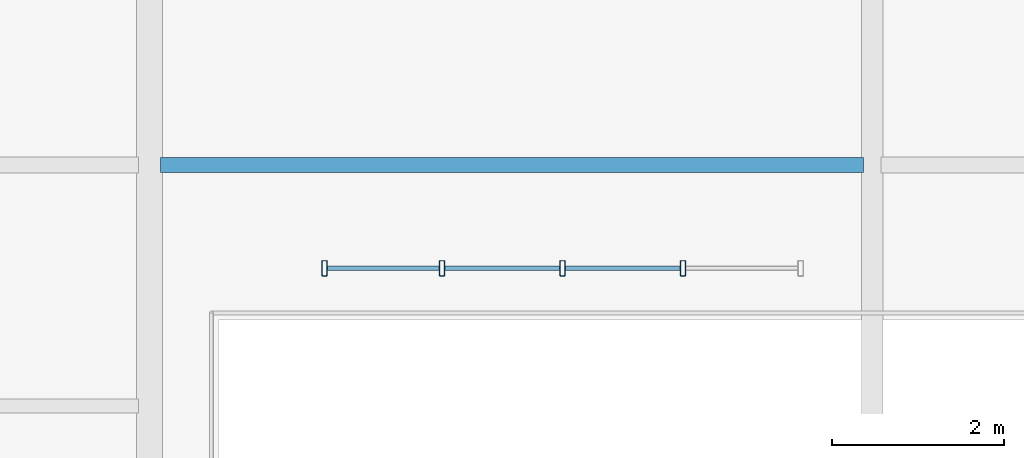
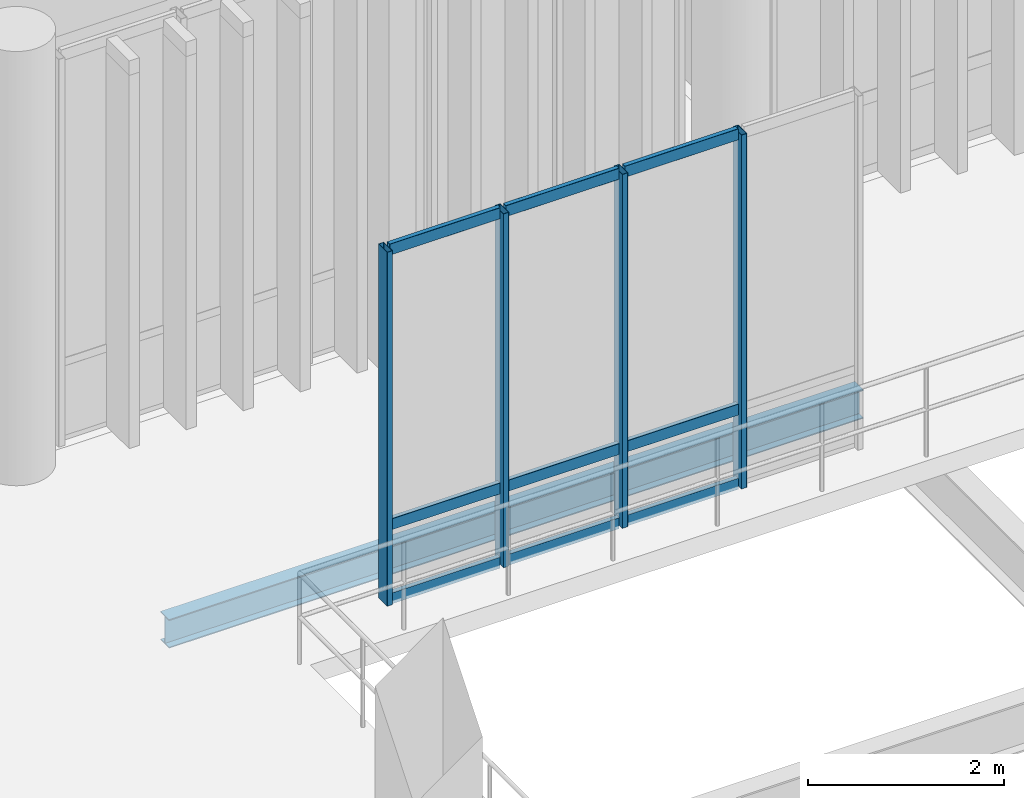
# One storey, part 27 of 128: 13 members, 1 beam, 1 element without a shape of its own.
"""IFC4 building model written with IfcOpenShell, lengths in metres."""

from ifc_helpers import new_model, si_unit, direction, frame, origin_with_axes, origin_2d_with_axis, place, context, subcontext, project, spatial, hollow_rectangle, i_section, extrude, material, material_profile, profile_set, type_object, element, aggregate, save


model = new_model("IFC4")

# Units and contexts
model_context = context("Model", 3, precision=1e-05, world=origin_with_axes(), true_north=direction((0.0, 1.0)))
body_context = subcontext(model_context, "Body", "Model", "MODEL_VIEW")
ifc_project = project(units=[si_unit("LENGTHUNIT", "METRE"), si_unit("AREAUNIT", "SQUARE_METRE"), si_unit("VOLUMEUNIT", "CUBIC_METRE"), si_unit("PLANEANGLEUNIT", "RADIAN"), si_unit("MASSUNIT", "GRAM", prefix="KILO"), si_unit("THERMODYNAMICTEMPERATUREUNIT", "KELVIN")], contexts=[model_context])

# Site, building, storey
site_placement = place(None, origin_with_axes())
site = spatial("IfcSite", under=ifc_project, at=site_placement, CompositionType="ELEMENT")
building_placement = place(site_placement, origin_with_axes())
building = spatial("IfcBuilding", under=site, at=building_placement, Name="Montbau Bow Law Courts", CompositionType="ELEMENT")
storey_placement = place(building_placement, frame((0.0, 0.0, 5.4), z_axis=(0.0, 0.0, 1.0), x_axis=(1.0, 0.0, 0.0)))
storey = spatial("IfcBuildingStorey", under=building, at=storey_placement, Name="L01", CompositionType="ELEMENT", Elevation=5.4)

# Beam
ifc_material_1 = material(Name="Steel CSA G40.21 Grade 350W (350 MPa)", Category="steel")
ifc_material_profile_1 = material_profile(ifc_material_1, i_section(OverallWidth=0.172, OverallDepth=0.358, WebThickness=0.0079, FlangeThickness=0.0131, at=origin_2d_with_axis()), Name="W360X57", Category="Main", Priority=0)
ifc_profile_set_1 = profile_set([ifc_material_profile_1], Name="Steel CSA G40.21 Grade 350W (350 MPa)")
beam_type = type_object("IfcBeamType", Name="B-JST-03", PredefinedType="JOIST", material=ifc_profile_set_1)
beam_placement = place(None, frame((63.729, 36.2, 4.981), z_axis=(1.0, 0.0, 0.0), x_axis=(0.0, 1.0, 0.0)))
element("IfcBeam", 1, at=beam_placement, inside=storey, type_object=beam_type, Name="JST-L01-S0550:jst2_0550", PredefinedType="JOIST", context=body_context, shape_type="SweptSolid", body=[
    extrude(i_section(OverallWidth=0.172, OverallDepth=0.358, WebThickness=0.0079, FlangeThickness=0.0131, at=origin_2d_with_axis()), origin_with_axes(), (0.0, 0.0, 1.0), 8.168),
])

# Curtain wall, members
ifc_material_2 = material(Name="Thermally Broken Extruded Aluminium AA 6063-T6", Category="aluminium")
curtain_wall_type = type_object("IfcCurtainWallType", Name="CW-INT-01", PredefinedType="NOTDEFINED", material=ifc_material_2)
curtain_wall_placement = place(None, frame((65.6, 35.0, 5.4), z_axis=(0.0, 0.0, 1.0), x_axis=(1.0, 0.0, 0.0)))
curtain_wall = element("IfcCurtainWall", 2, at=curtain_wall_placement, inside=storey, type_object=curtain_wall_type, Name="CW-L01-415:cw_0415", PredefinedType="NOTDEFINED")
ifc_material_profile_2 = material_profile(ifc_material_2, hollow_rectangle(XDim=0.065, YDim=0.18, WallThickness=0.005, InnerFilletRadius=0.01, OuterFilletRadius=0.005, at=origin_2d_with_axis()), Name="CWM-180X65", Category="Main", Priority=0)
ifc_profile_set_2 = profile_set([ifc_material_profile_2], Name="Thermally Broken Extruded Aluminium AA 6063-T6")
member_type_1 = type_object("IfcMemberType", Name="M-MUL-02", PredefinedType="MULLION", material=ifc_profile_set_2)
member_1_placement = place(None, frame((65.633, 35.0, 5.4), z_axis=(0.0, 0.0, 1.0), x_axis=(1.0, 0.0, 0.0)))
member_1 = element("IfcMember", 3, at=member_1_placement, type_object=member_type_1, Name="CW-L01-415-M01:cw_0415_M01", PredefinedType="MULLION", context=body_context, shape_type="SweptSolid", body=[
    extrude(hollow_rectangle(XDim=0.065, YDim=0.18, WallThickness=0.005, InnerFilletRadius=0.01, OuterFilletRadius=0.005, at=origin_2d_with_axis()), origin_with_axes(), (0.0, 0.0, 1.0), 4.4),
])
member_2_placement = place(None, frame((67.0, 35.0, 5.4), z_axis=(0.0, 0.0, 1.0), x_axis=(1.0, 0.0, 0.0)))
member_2 = element("IfcMember", 4, at=member_2_placement, type_object=member_type_1, Name="CW-L01-415-M02:cw_0415_M02", PredefinedType="MULLION", context=body_context, shape_type="SweptSolid", body=[
    extrude(hollow_rectangle(XDim=0.065, YDim=0.18, WallThickness=0.005, InnerFilletRadius=0.01, OuterFilletRadius=0.005, at=origin_2d_with_axis()), origin_with_axes(), (0.0, 0.0, 1.0), 4.4),
])
member_3_placement = place(None, frame((68.4, 35.0, 5.4), z_axis=(0.0, 0.0, 1.0), x_axis=(1.0, 0.0, 0.0)))
member_3 = element("IfcMember", 5, at=member_3_placement, type_object=member_type_1, Name="CW-L01-415-M03:cw_0415_M03", PredefinedType="MULLION", context=body_context, shape_type="SweptSolid", body=[
    extrude(hollow_rectangle(XDim=0.065, YDim=0.18, WallThickness=0.005, InnerFilletRadius=0.01, OuterFilletRadius=0.005, at=origin_2d_with_axis()), origin_with_axes(), (0.0, 0.0, 1.0), 4.4),
])
member_4_placement = place(None, frame((69.8, 35.0, 5.4), z_axis=(0.0, 0.0, 1.0), x_axis=(1.0, 0.0, 0.0)))
member_4 = element("IfcMember", 6, at=member_4_placement, type_object=member_type_1, Name="CW-L01-415-M04:cw_0415_M04", PredefinedType="MULLION", context=body_context, shape_type="SweptSolid", body=[
    extrude(hollow_rectangle(XDim=0.065, YDim=0.18, WallThickness=0.005, InnerFilletRadius=0.01, OuterFilletRadius=0.005, at=origin_2d_with_axis()), origin_with_axes(), (0.0, 0.0, 1.0), 4.4),
])
ifc_material_profile_3 = material_profile(ifc_material_2, hollow_rectangle(XDim=0.055, YDim=0.14, WallThickness=0.004, InnerFilletRadius=0.008, OuterFilletRadius=0.004, at=origin_2d_with_axis()), Name="CWT-140X55", Category="Main", Priority=0)
ifc_profile_set_3 = profile_set([ifc_material_profile_3], Name="Thermally Broken Extruded Aluminium AA 6063-T6")
member_type_2 = type_object("IfcMemberType", Name="M-TRN-02", PredefinedType="USERDEFINED", material=ifc_profile_set_3)
member_5_placement = place(None, frame((65.668, 35.0, 5.428), z_axis=(1.0, 0.0, 0.0), x_axis=(0.0, 1.0, 0.0)))
member_5 = element("IfcMember", 7, at=member_5_placement, type_object=member_type_2, Name="CW-L01-415-T01-1:cw_0415_T01_1", ObjectType="TRANSOM", PredefinedType="USERDEFINED", context=body_context, shape_type="SweptSolid", body=[
    extrude(hollow_rectangle(XDim=0.055, YDim=0.14, WallThickness=0.004, InnerFilletRadius=0.008, OuterFilletRadius=0.004, at=origin_2d_with_axis()), origin_with_axes(), (0.0, 0.0, 1.0), 1.297),
])
member_6_placement = place(None, frame((65.668, 35.0, 6.35), z_axis=(1.0, 0.0, 0.0), x_axis=(0.0, 1.0, 0.0)))
member_6 = element("IfcMember", 8, at=member_6_placement, type_object=member_type_2, Name="CW-L01-415-T01-2:cw_0415_T01_2", ObjectType="TRANSOM", PredefinedType="USERDEFINED", context=body_context, shape_type="SweptSolid", body=[
    extrude(hollow_rectangle(XDim=0.055, YDim=0.14, WallThickness=0.004, InnerFilletRadius=0.008, OuterFilletRadius=0.004, at=origin_2d_with_axis()), origin_with_axes(), (0.0, 0.0, 1.0), 1.297),
])
member_7_placement = place(None, frame((65.668, 35.0, 9.773), z_axis=(1.0, 0.0, 0.0), x_axis=(0.0, 1.0, 0.0)))
member_7 = element("IfcMember", 9, at=member_7_placement, type_object=member_type_2, Name="CW-L01-415-T01-3:cw_0415_T01_3", ObjectType="TRANSOM", PredefinedType="USERDEFINED", context=body_context, shape_type="SweptSolid", body=[
    extrude(hollow_rectangle(XDim=0.055, YDim=0.14, WallThickness=0.004, InnerFilletRadius=0.008, OuterFilletRadius=0.004, at=origin_2d_with_axis()), origin_with_axes(), (0.0, 0.0, 1.0), 1.297),
])
member_8_placement = place(None, frame((67.034, 35.0, 5.428), z_axis=(1.0, 0.0, 0.0), x_axis=(0.0, 1.0, 0.0)))
member_8 = element("IfcMember", 10, at=member_8_placement, type_object=member_type_2, Name="CW-L01-415-T02-1:cw_0415_T02_1", ObjectType="TRANSOM", PredefinedType="USERDEFINED", context=body_context, shape_type="SweptSolid", body=[
    extrude(hollow_rectangle(XDim=0.055, YDim=0.14, WallThickness=0.004, InnerFilletRadius=0.008, OuterFilletRadius=0.004, at=origin_2d_with_axis()), origin_with_axes(), (0.0, 0.0, 1.0), 1.331),
])
member_9_placement = place(None, frame((67.034, 35.0, 6.35), z_axis=(1.0, 0.0, 0.0), x_axis=(0.0, 1.0, 0.0)))
member_9 = element("IfcMember", 11, at=member_9_placement, type_object=member_type_2, Name="CW-L01-415-T02-2:cw_0415_T02_2", ObjectType="TRANSOM", PredefinedType="USERDEFINED", context=body_context, shape_type="SweptSolid", body=[
    extrude(hollow_rectangle(XDim=0.055, YDim=0.14, WallThickness=0.004, InnerFilletRadius=0.008, OuterFilletRadius=0.004, at=origin_2d_with_axis()), origin_with_axes(), (0.0, 0.0, 1.0), 1.331),
])
member_10_placement = place(None, frame((67.034, 35.0, 9.773), z_axis=(1.0, 0.0, 0.0), x_axis=(0.0, 1.0, 0.0)))
member_10 = element("IfcMember", 12, at=member_10_placement, type_object=member_type_2, Name="CW-L01-415-T02-3:cw_0415_T02_3", ObjectType="TRANSOM", PredefinedType="USERDEFINED", context=body_context, shape_type="SweptSolid", body=[
    extrude(hollow_rectangle(XDim=0.055, YDim=0.14, WallThickness=0.004, InnerFilletRadius=0.008, OuterFilletRadius=0.004, at=origin_2d_with_axis()), origin_with_axes(), (0.0, 0.0, 1.0), 1.331),
])
member_11_placement = place(None, frame((68.434, 35.0, 5.428), z_axis=(1.0, 0.0, 0.0), x_axis=(0.0, 1.0, 0.0)))
member_11 = element("IfcMember", 13, at=member_11_placement, type_object=member_type_2, Name="CW-L01-415-T03-1:cw_0415_T03_1", ObjectType="TRANSOM", PredefinedType="USERDEFINED", context=body_context, shape_type="SweptSolid", body=[
    extrude(hollow_rectangle(XDim=0.055, YDim=0.14, WallThickness=0.004, InnerFilletRadius=0.008, OuterFilletRadius=0.004, at=origin_2d_with_axis()), origin_with_axes(), (0.0, 0.0, 1.0), 1.332),
])
member_12_placement = place(None, frame((68.434, 35.0, 6.35), z_axis=(1.0, 0.0, 0.0), x_axis=(0.0, 1.0, 0.0)))
member_12 = element("IfcMember", 14, at=member_12_placement, type_object=member_type_2, Name="CW-L01-415-T03-2:cw_0415_T03_2", ObjectType="TRANSOM", PredefinedType="USERDEFINED", context=body_context, shape_type="SweptSolid", body=[
    extrude(hollow_rectangle(XDim=0.055, YDim=0.14, WallThickness=0.004, InnerFilletRadius=0.008, OuterFilletRadius=0.004, at=origin_2d_with_axis()), origin_with_axes(), (0.0, 0.0, 1.0), 1.332),
])
member_13_placement = place(None, frame((68.434, 35.0, 9.773), z_axis=(1.0, 0.0, 0.0), x_axis=(0.0, 1.0, 0.0)))
member_13 = element("IfcMember", 15, at=member_13_placement, type_object=member_type_2, Name="CW-L01-415-T03-3:cw_0415_T03_3", ObjectType="TRANSOM", PredefinedType="USERDEFINED", context=body_context, shape_type="SweptSolid", body=[
    extrude(hollow_rectangle(XDim=0.055, YDim=0.14, WallThickness=0.004, InnerFilletRadius=0.008, OuterFilletRadius=0.004, at=origin_2d_with_axis()), origin_with_axes(), (0.0, 0.0, 1.0), 1.332),
])
aggregate(curtain_wall, [member_1, member_2, member_3, member_4, member_5, member_6, member_7, member_8, member_9, member_10, member_11, member_12, member_13])

save(model, "model.ifc")
